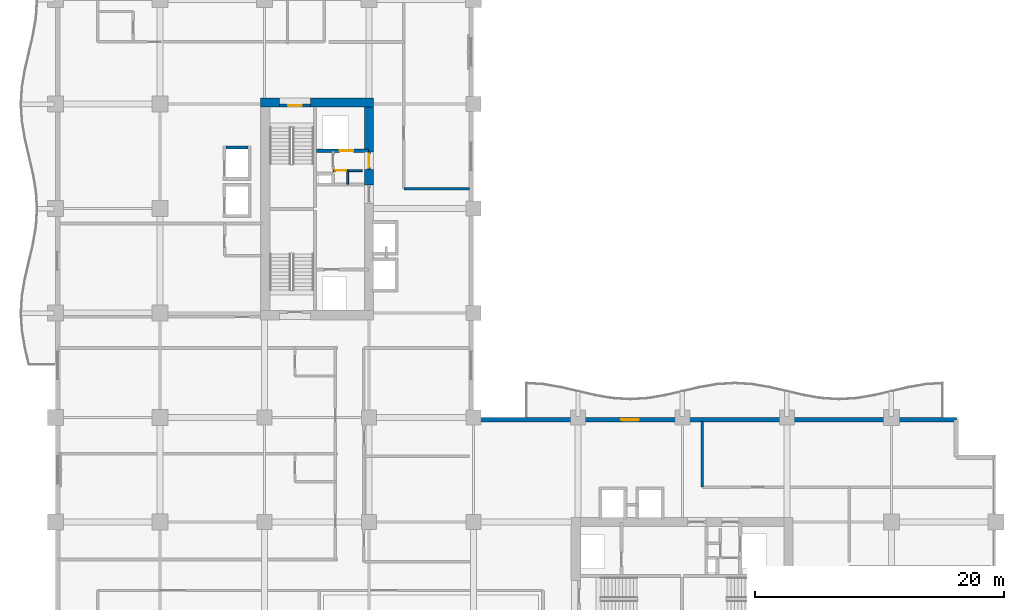
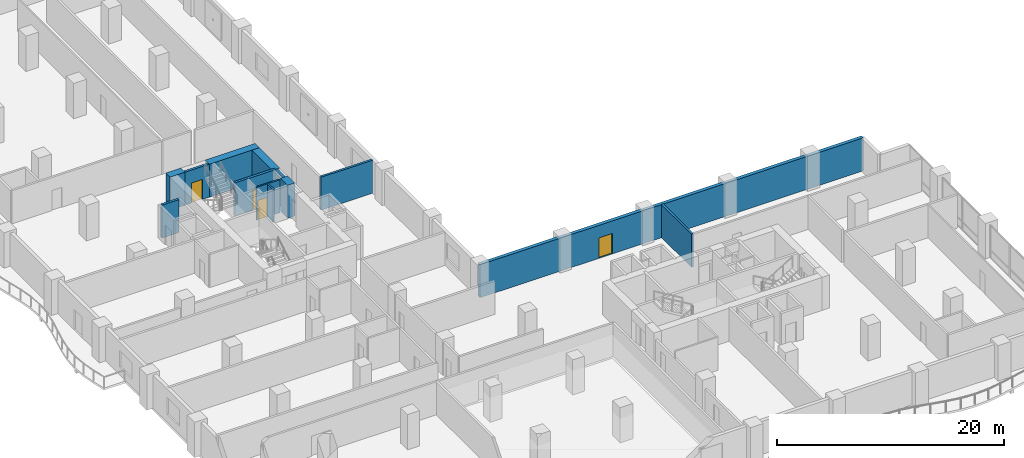
# One storey, part 13 of 23: 13 walls, 5 doors, 5 openings.
"""IFC4 building model written with IfcOpenShell, lengths in metres."""

import ifcopenshell
import ifcopenshell.guid

model = None  # the IFC model being written
_history = None  # IfcOwnerHistory: only IFC2X3 demands one
_inside = {}  # id of a spatial element -> (the spatial element, [elements in it])
_under = {}  # id of a project, library or spatial element -> (it, [spatial elements below it])
_declared = {}  # id of a project -> (the project, [libraries it declares])
_typed = {}  # id of a type object -> (the type object, [elements of that type])
_made_of = {}  # id of a material, layer set ... -> (it, [elements and type objects made of it])


def new_model(schema):
    """Start an empty IFC model of exactly this schema.

    Asked for "IFC4X3", IfcOpenShell would pick the latest addendum, in which some entities
    have other attributes; the version numbers below select the first issue.
    IFC2X3 requires an IfcOwnerHistory on every rooted entity: one is made here for all.
    """
    global model, _history
    if schema == "IFC4X3":
        model = ifcopenshell.file(schema_version=(4, 3, 0, 0))
    else:
        model = ifcopenshell.file(schema=schema)
    _inside.clear()
    _under.clear()
    _declared.clear()
    _typed.clear()
    _made_of.clear()
    _history = None
    if model.schema == "IFC2X3":
        org = make("IfcOrganization", Name="unknown")
        user = make(
            "IfcPersonAndOrganization",
            ThePerson=make("IfcPerson", FamilyName="unknown"),
            TheOrganization=org,
        )
        app = make(
            "IfcApplication",
            ApplicationDeveloper=org,
            Version="unknown",
            ApplicationFullName="unknown",
            ApplicationIdentifier="unknown",
        )
        _history = make(
            "IfcOwnerHistory",
            OwningUser=user,
            OwningApplication=app,
            ChangeAction="ADDED",
            CreationDate=0,
        )
    return model


def make(cls, **values):
    """One entity of the class cls with the attributes given. An attribute that is None is left unset."""
    return model.create_entity(
        cls, **{name: value for name, value in values.items() if value is not None}
    )


def rooted(cls, **values):
    """An entity with a GlobalId (a new one), such as an element, a storey or a relation."""
    return make(cls, GlobalId=ifcopenshell.guid.new(), OwnerHistory=_history, **values)


def si_unit(unit_type, name, prefix=None):
    """IfcSIUnit, for example si_unit("LENGTHUNIT", "METRE", prefix="MILLI")."""
    return make("IfcSIUnit", UnitType=unit_type, Prefix=prefix, Name=name)


def assignment(units):
    """IfcUnitAssignment: the units of a project."""
    return None if units is None else make("IfcUnitAssignment", Units=units)


def point(xyz):
    """IfcCartesianPoint."""
    return None if xyz is None else make("IfcCartesianPoint", Coordinates=xyz)


def direction(xyz):
    """IfcDirection."""
    return None if xyz is None else make("IfcDirection", DirectionRatios=xyz)


def frame(location, z_axis=None, x_axis=None):
    """IfcAxis2Placement3D, a coordinate frame: its origin and axes. An axis left out is left unset."""
    return make(
        "IfcAxis2Placement3D",
        Location=point(location),
        Axis=direction(z_axis),
        RefDirection=direction(x_axis),
    )


def frame_2d(location, x_axis=None):
    """IfcAxis2Placement2D, a coordinate frame in the plane: its origin and x axis."""
    return make(
        "IfcAxis2Placement2D", Location=point(location), RefDirection=direction(x_axis)
    )


def origin():
    """The frame at (0, 0, 0) with its axes left unset."""
    return frame((0.0, 0.0, 0.0))


def place(relative_to, where):
    """IfcLocalPlacement: puts the frame where relative to a parent placement (None: the world)."""
    return make(
        "IfcLocalPlacement", PlacementRelTo=relative_to, RelativePlacement=where
    )


def context(
    kind, dimensions, precision=None, world=None, true_north=None, identifier=None
):
    """IfcGeometricRepresentationContext, for example the 3D "Model" context."""
    return make(
        "IfcGeometricRepresentationContext",
        ContextIdentifier=identifier,
        ContextType=kind,
        CoordinateSpaceDimension=dimensions,
        Precision=precision,
        WorldCoordinateSystem=world,
        TrueNorth=true_north,
    )


def subcontext(parent, identifier, kind, view, scale=None):
    """IfcGeometricRepresentationSubContext, for example "Body" below "Model"."""
    return make(
        "IfcGeometricRepresentationSubContext",
        ContextIdentifier=identifier,
        ContextType=kind,
        ParentContext=parent,
        TargetScale=scale,
        TargetView=view,
    )


def project(units=None, contexts=None):
    """IfcProject with its units and contexts."""
    return rooted(
        "IfcProject",
        Name="project",
        RepresentationContexts=contexts,
        UnitsInContext=assignment(units),
    )


def spatial(cls, under=None, at=None, **own):
    """A site, building, storey or space (cls), placed at a placement, below another one or the project."""
    s = rooted(cls, ObjectPlacement=at, **own)
    if under is not None:
        _under.setdefault(under.id(), (under, []))[1].append(s)
    return s


def profile(cls, at=None, kind="AREA", **sizes):
    """A parametric profile (cls). Its sizes go by their IFC names, for example OverallWidth=200.0."""
    return make(cls, ProfileType=kind, Position=at, **sizes)


def rectangle(**sizes):
    """IfcRectangleProfileDef."""
    return profile("IfcRectangleProfileDef", **sizes)


def extrude(swept, where, along, depth):
    """IfcExtrudedAreaSolid: the profile swept, set in the frame where, extruded along a direction by depth."""
    return make(
        "IfcExtrudedAreaSolid",
        SweptArea=swept,
        Position=where,
        ExtrudedDirection=direction(along),
        Depth=depth,
    )


def shape(context_of_items, identifier, shape_type, items):
    """IfcShapeRepresentation: the items that make up one representation, for example the "Body"."""
    return make(
        "IfcShapeRepresentation",
        ContextOfItems=context_of_items,
        RepresentationIdentifier=identifier,
        RepresentationType=shape_type,
        Items=items,
    )


def material(Name=None, Category=None):
    """IfcMaterial."""
    return make("IfcMaterial", Name=Name, Category=Category)


def layer(
    of_material, thickness, ventilated=None, Name=None, Category=None, Priority=None
):
    """IfcMaterialLayer: one layer of a wall or slab, of a material (None: an air gap)."""
    return make(
        "IfcMaterialLayer",
        Material=of_material,
        LayerThickness=thickness,
        IsVentilated=ventilated,
        Name=Name,
        Category=Category,
        Priority=Priority,
    )


def layer_set(layers, Name=None):
    """IfcMaterialLayerSet."""
    return make("IfcMaterialLayerSet", MaterialLayers=layers, LayerSetName=Name)


def made_of(thing, what):
    """Note that an element or type object is made of a material, layer set ...; save() writes the relation."""
    if what is not None:
        _made_of.setdefault(what.id(), (what, []))[1].append(thing)
    return thing


def type_object(cls, material=None, **own):
    """A type object (cls), such as IfcWallType, which elements share."""
    return made_of(rooted(cls, **own), material)


def element(
    cls,
    number,
    at=None,
    inside=None,
    cuts=None,
    type_object=None,
    material=None,
    context=None,
    identifier="Body",
    shape_type=None,
    held_by="IfcProductDefinitionShape",
    body=None,
    shapes=None,
    **own,
):
    """One element of the class cls, such as IfcWall. Its Tag is "e" and its number.

    at: its placement. inside: the storey or other place that contains it. cuts: it is an
    opening in that element (IfcRelVoidsElement). A single representation is given by context,
    identifier, shape_type and body (its items); several are given by shapes. held_by: the class
    of the entity that holds the representations. save() writes the other relations.
    """
    e = rooted(cls, Tag="e%d" % number, ObjectPlacement=at, **own)
    if body is not None:
        shapes = [shape(context, identifier, shape_type, body)]
    if shapes is not None:
        e.Representation = make(held_by, Representations=shapes)
    if inside is not None:
        _inside.setdefault(inside.id(), (inside, []))[1].append(e)
    if cuts is not None:
        rooted(
            "IfcRelVoidsElement", RelatingBuildingElement=cuts, RelatedOpeningElement=e
        )
    if type_object is not None:
        _typed.setdefault(type_object.id(), (type_object, []))[1].append(e)
    return made_of(e, material)


def fill(opening, filler):
    """IfcRelFillsElement: the door or window that sits in an opening."""
    return rooted(
        "IfcRelFillsElement",
        RelatingOpeningElement=opening,
        RelatedBuildingElement=filler,
    )


def aggregate(whole, parts):
    """IfcRelAggregates: a whole, such as a stair, and the parts it consists of."""
    return rooted("IfcRelAggregates", RelatingObject=whole, RelatedObjects=parts)


def save(model, path):
    """Write the relations noted so far, then the file.

    IfcRelAggregates (storeys below a building ...), IfcRelContainedInSpatialStructure (elements
    in a storey), IfcRelDefinesByType, IfcRelAssociatesMaterial and IfcRelDeclares: one each for
    every whole, place, type object, material and project.
    """
    for whole, parts in _under.values():
        aggregate(whole, parts)
    for where, things in _inside.values():
        rooted(
            "IfcRelContainedInSpatialStructure",
            RelatedElements=things,
            RelatingStructure=where,
        )
    for kind, things in _typed.values():
        rooted("IfcRelDefinesByType", RelatedObjects=things, RelatingType=kind)
    for what, things in _made_of.values():
        rooted("IfcRelAssociatesMaterial", RelatedObjects=things, RelatingMaterial=what)
    for by, libraries in _declared.values():
        rooted("IfcRelDeclares", RelatingContext=by, RelatedDefinitions=libraries)
    model.write(path)


model = new_model("IFC4")

# Units and contexts
model_context = context("Model", 3, precision=1e-05, world=origin(), true_north=direction((0.0, 1.0)))
body_context = subcontext(model_context, "Body", "Model", "MODEL_VIEW")
ifc_project = project(units=[si_unit("LENGTHUNIT", "METRE"), si_unit("AREAUNIT", "SQUARE_METRE"), si_unit("VOLUMEUNIT", "CUBIC_METRE"), si_unit("PLANEANGLEUNIT", "RADIAN"), si_unit("MASSUNIT", "GRAM", prefix="KILO")], contexts=[model_context])

# Site, building, storey
site_placement = place(None, origin())
site = spatial("IfcSite", under=ifc_project, at=site_placement, CompositionType="ELEMENT")
building_placement = place(site_placement, origin())
building = spatial("IfcBuilding", under=site, at=building_placement, Name="Koriwani Terraces Tower", CompositionType="ELEMENT")
storey_placement = place(building_placement, frame((0.0, 0.0, 134.199951171875)))
storey = spatial("IfcBuildingStorey", under=building, at=storey_placement, Name="L32", CompositionType="ELEMENT", Elevation=134.199951171875)

# Walls
ifc_material_1 = material(Name="Concrete C60/75", Category="concrete")
ifc_layer_1 = layer(ifc_material_1, 0.75, Name="Concrete C60/75")
ifc_layer_set_1 = layer_set([ifc_layer_1], Name="Concrete C60/75")
wall_type_1 = type_object("IfcWallType", Name="WALL_CORE_RC_750", PredefinedType="SHEAR", material=ifc_layer_set_1)
wall_1_placement = place(storey_placement, frame((16.5, 58.925048828125, 0.0), z_axis=(0.0, 0.0, 1.0), x_axis=(1.0, 0.0, 0.0)))
element("IfcWall", 1, at=wall_1_placement, inside=storey, type_object=wall_type_1, Name="L32 West Split Core Shear Wall N1", PredefinedType="SHEAR", context=body_context, shape_type="SweptSolid", body=[
    extrude(rectangle(XDim=1.5, YDim=0.75, at=frame_2d((0.75, 0.0))), origin(), (0.0, 0.0, 1.0), 3.550048828125),
])
wall_2_placement = place(storey_placement, frame((20.5, 58.925048828125, 0.0), z_axis=(0.0, 0.0, 1.0), x_axis=(1.0, 0.0, 0.0)))
element("IfcWall", 2, at=wall_2_placement, inside=storey, type_object=wall_type_1, Name="L32 West Split Core Shear Wall N2", PredefinedType="SHEAR", context=body_context, shape_type="SweptSolid", body=[
    extrude(rectangle(XDim=5.074951171875, YDim=0.75, at=frame_2d((2.53759765625, 0.0))), origin(), (0.0, 0.0, 1.0), 3.550048828125),
])
wall_3_placement = place(storey_placement, frame((25.199951171875, 52.280029296875, 0.0), z_axis=(0.0, 0.0, 1.0), x_axis=(0.0, 1.0, 0.0)))
element("IfcWall", 3, at=wall_3_placement, inside=storey, type_object=wall_type_1, Name="L32 West Split Core Shear Wall E2", PredefinedType="SHEAR", context=body_context, shape_type="SweptSolid", body=[
    extrude(rectangle(XDim=1.27001953125, YDim=0.75, at=frame_2d((0.635009765625, 0.0))), origin(), (0.0, 0.0, 1.0), 3.550048828125),
])
wall_4_placement = place(storey_placement, frame((25.199951171875, 54.949951171875, 0.0), z_axis=(0.0, 0.0, 1.0), x_axis=(0.0, 1.0, 0.0)))
element("IfcWall", 4, at=wall_4_placement, inside=storey, type_object=wall_type_1, Name="L32 West Split Core Shear Wall E3", PredefinedType="SHEAR", context=body_context, shape_type="SweptSolid", body=[
    extrude(rectangle(XDim=3.60009765625, YDim=0.75, at=frame_2d((1.800048828125, 0.0))), origin(), (0.0, 0.0, 1.0), 3.550048828125),
])
ifc_material_2 = material(Name="Autoclaved Cellular Concrete Blockwork", Category="masonry")
ifc_layer_2 = layer(ifc_material_2, 0.219970703125, Name="Autoclaved Cellular Concrete Blockwork")
ifc_layer_set_2 = layer_set([ifc_layer_2], Name="Autoclaved Cellular Concrete Blockwork")
wall_type_2 = type_object("IfcWallType", Name="WALL_DEMISING_220", PredefinedType="PARTITIONING", material=ifc_layer_set_2)
for number, where, z_axis, x_axis, name in (
    (5, (28.0, 52.0, 0.0), (0.0, 0.0, 1.0), (1.0, 0.0, 0.0), "L32 Interior Wall WNWT2-S-L32"),
    (6, (52.0, 28.0, 0.0), (0.0, 0.0, 1.0), (0.0, 1.0, 0.0), "L32 Interior Wall WSET2-W-L32"),
):
    element("IfcWall", number, at=place(storey_placement, frame(where, z_axis=z_axis, x_axis=x_axis)), inside=storey, type_object=wall_type_2, Name=name, PredefinedType="PARTITIONING", context=body_context, shape_type="SweptSolid", body=[
        extrude(rectangle(XDim=5.300048828125, YDim=0.219970703125, at=frame_2d((2.64990234375, 0.0))), origin(), (0.0, 0.0, 1.0), 3.550048828125),
    ])

# Wall, opening, door
ifc_material_3 = material(Name="Concrete C50/60", Category="concrete")
ifc_layer_3 = layer(ifc_material_3, 0.35009765625, Name="Concrete C50/60")
ifc_layer_set_3 = layer_set([ifc_layer_3], Name="Concrete C50/60")
wall_type_3 = type_object("IfcWallType", Name="WALL_EXT_BRUTALIST_350", PredefinedType="STANDARD", material=ifc_layer_set_3)
wall_5_placement = place(storey_placement, frame((33.425048828125, 33.425048828125, 0.0), z_axis=(0.0, 0.0, 1.0), x_axis=(1.0, 0.0, 0.0)))
wall_5 = element("IfcWall", 7, at=wall_5_placement, inside=storey, type_object=wall_type_3, Name="L32 Fair-Faced Brutalist Exterior Wall (NE)", PredefinedType="STANDARD", context=body_context, shape_type="SweptSolid", body=[
    extrude(rectangle(XDim=39.0, YDim=0.35009765625, at=frame_2d((19.5, 0.0))), origin(), (0.0, 0.0, 1.0), 3.550048828125),
])
opening_1_placement = place(wall_5_placement, frame((12.074951171875, 0.0, 0.0)))
opening_1 = element("IfcOpeningElement", 8, at=opening_1_placement, cuts=wall_5, Name="Opening D-09", PredefinedType="OPENING", context=body_context, shape_type="SweptSolid", body=[
    extrude(rectangle(XDim=1.39990234375, YDim=2.199951171875, at=frame_2d((0.699951171875, 1.10009765625))), frame((0.0, 0.18505859375, 0.0), z_axis=(0.0, -1.0, 0.0), x_axis=(1.0, 0.0, 0.0)), (0.0, 0.0, 1.0), 0.3701171875),
])
ifc_material_4 = material(Name="Anodised Bronze Aluminium", Category="aluminium")
door_type_1 = type_object("IfcDoorType", Name="DOOR_BALCONY_GLAZED_1400X2200", OperationType="NOTDEFINED", PredefinedType="DOOR", material=ifc_material_4)
door_1_placement = place(opening_1_placement, origin())
door_1 = element("IfcDoor", 9, at=door_1_placement, inside=storey, type_object=door_type_1, Name="L32 Inner Court Balcony Glazed Door", OperationType="SINGLE_SWING_LEFT", OverallHeight=2.199951171875, OverallWidth=1.39990234375, PredefinedType="DOOR", context=body_context, shape_type="SweptSolid", body=[
    extrude(rectangle(XDim=1.39990234375, YDim=2.199951171875, at=frame_2d((0.699951171875, 1.10009765625))), frame((0.0, 0.02490234375, 0.0), z_axis=(0.0, -1.0, 0.0), x_axis=(1.0, 0.0, 0.0)), (0.0, 0.0, 1.0), 0.050048828125),
])
fill(opening_1, door_1)

ifc_material_5 = material(Name="Concrete C40/50", Category="concrete")
ifc_layer_4 = layer(ifc_material_5, 0.25, Name="Concrete C40/50")
ifc_layer_set_4 = layer_set([ifc_layer_4], Name="Concrete C40/50")
wall_type_4 = type_object("IfcWallType", Name="WALL_SHAFT_RATED_250", PredefinedType="SOLIDWALL", material=ifc_layer_set_4)
wall_6_placement = place(storey_placement, frame((18.0, 58.675048828125, 0.0), z_axis=(0.0, 0.0, 1.0), x_axis=(1.0, 0.0, 0.0)))
wall_6 = element("IfcWall", 10, at=wall_6_placement, inside=storey, type_object=wall_type_4, Name="L32 Interior Wall WIN-CW-L32-STN", PredefinedType="SOLIDWALL", context=body_context, shape_type="SweptSolid", body=[
    extrude(rectangle(XDim=2.5, YDim=0.25, at=frame_2d((1.25, 0.0))), origin(), (0.0, 0.0, 1.0), 3.550048828125),
])
opening_2_placement = place(wall_6_placement, frame((0.699951171875, 0.0, 0.0)))
opening_2 = element("IfcOpeningElement", 11, at=opening_2_placement, cuts=wall_6, Name="Opening D-03", PredefinedType="OPENING", context=body_context, shape_type="SweptSolid", body=[
    extrude(rectangle(XDim=1.10009765625, YDim=2.14990234375, at=frame_2d((0.550048828125, 1.074951171875))), frame((0.0, 0.135009765625, 0.0), z_axis=(0.0, -1.0, 0.0), x_axis=(1.0, 0.0, 0.0)), (0.0, 0.0, 1.0), 0.27001953125),
])
ifc_material_6 = material(Name="Steel ASTM A572 Grade 50", Category="steel")
door_type_2 = type_object("IfcDoorType", Name="DOOR_STAIR_FIRE_1100X2150", OperationType="NOTDEFINED", PredefinedType="DOOR", material=ifc_material_6)
door_2_placement = place(opening_2_placement, origin())
door_2 = element("IfcDoor", 12, at=door_2_placement, inside=storey, type_object=door_type_2, Name="L32 Exit Stair ST-W2 Door", OperationType="SINGLE_SWING_LEFT", OverallHeight=2.14990234375, OverallWidth=1.10009765625, PredefinedType="DOOR", context=body_context, shape_type="SweptSolid", body=[
    extrude(rectangle(XDim=1.10009765625, YDim=2.14990234375, at=frame_2d((0.550048828125, 1.074951171875))), frame((0.0, 0.02490234375, 0.0), z_axis=(0.0, -1.0, 0.0), x_axis=(1.0, 0.0, 0.0)), (0.0, 0.0, 1.0), 0.050048828125),
])
fill(opening_2, door_2)

wall_7_placement = place(storey_placement, frame((21.0, 55.050048828125, 0.0), z_axis=(0.0, 0.0, 1.0), x_axis=(1.0, 0.0, 0.0)))
wall_7 = element("IfcWall", 13, at=wall_7_placement, inside=storey, type_object=wall_type_4, Name="L32 Interior Wall WIN-CW-L32-SE", PredefinedType="SOLIDWALL", context=body_context, shape_type="SweptSolid", body=[
    extrude(rectangle(XDim=4.14990234375, YDim=0.25, at=frame_2d((2.074951171875, 0.0))), origin(), (0.0, 0.0, 1.0), 3.550048828125),
])
opening_3_placement = place(wall_7_placement, frame((1.85009765625, 0.0, 0.0)))
opening_3 = element("IfcOpeningElement", 14, at=opening_3_placement, cuts=wall_7, Name="Opening LD-01", PredefinedType="OPENING", context=body_context, shape_type="SweptSolid", body=[
    extrude(rectangle(XDim=1.10009765625, YDim=2.14990234375, at=frame_2d((0.550048828125, 1.074951171875))), frame((0.0, 0.135009765625, 0.0), z_axis=(0.0, -1.0, 0.0), x_axis=(1.0, 0.0, 0.0)), (0.0, 0.0, 1.0), 0.27001953125),
])
door_type_3 = type_object("IfcDoorType", Name="DOOR_LIFT_LANDING_1100X2200", OperationType="NOTDEFINED", PredefinedType="DOOR", material=ifc_material_6)
door_3_placement = place(opening_3_placement, origin())
door_3 = element("IfcDoor", 15, at=door_3_placement, inside=storey, type_object=door_type_3, Name="L32 Goods Lift SE-01 Landing Door", OperationType="SLIDING_TO_LEFT", OverallHeight=2.14990234375, OverallWidth=1.10009765625, PredefinedType="DOOR", context=body_context, shape_type="SweptSolid", body=[
    extrude(rectangle(XDim=1.10009765625, YDim=2.14990234375, at=frame_2d((0.550048828125, 1.074951171875))), frame((0.0, 0.02490234375, 0.0), z_axis=(0.0, -1.0, 0.0), x_axis=(1.0, 0.0, 0.0)), (0.0, 0.0, 1.0), 0.050048828125),
])
fill(opening_3, door_3)

wall_8_placement = place(storey_placement, frame((25.199951171875, 53.550048828125, 0.0), z_axis=(0.0, 0.0, 1.0), x_axis=(0.0, 1.0, 0.0)))
wall_8 = element("IfcWall", 16, at=wall_8_placement, inside=storey, type_object=wall_type_4, Name="L32 Interior Wall WIN-CW-L32-EP2", PredefinedType="SOLIDWALL", context=body_context, shape_type="SweptSolid", body=[
    extrude(rectangle(XDim=1.39990234375, YDim=0.25, at=frame_2d((0.699951171875, 0.0))), origin(), (0.0, 0.0, 1.0), 3.550048828125),
])
opening_4_placement = place(wall_8_placement, frame((0.14990234375, 0.0, 0.0)))
opening_4 = element("IfcOpeningElement", 17, at=opening_4_placement, cuts=wall_8, Name="Opening D-03", PredefinedType="OPENING", context=body_context, shape_type="SweptSolid", body=[
    extrude(rectangle(XDim=1.10009765625, YDim=2.14990234375, at=frame_2d((0.550048828125, 1.074951171875))), frame((0.0, 0.135009765625, 0.0), z_axis=(0.0, -1.0, 0.0), x_axis=(1.0, 0.0, 0.0)), (0.0, 0.0, 1.0), 0.27001953125),
])
door_4_placement = place(opening_4_placement, origin())
door_4 = element("IfcDoor", 18, at=door_4_placement, inside=storey, type_object=door_type_2, Name="L32 West Goods Lift Lobby Door", OperationType="SINGLE_SWING_LEFT", OverallHeight=2.14990234375, OverallWidth=1.10009765625, PredefinedType="DOOR", context=body_context, shape_type="SweptSolid", body=[
    extrude(rectangle(XDim=1.10009765625, YDim=2.14990234375, at=frame_2d((0.550048828125, 1.074951171875))), frame((0.0, 0.02490234375, 0.0), z_axis=(0.0, -1.0, 0.0), x_axis=(1.0, 0.0, 0.0)), (0.0, 0.0, 1.0), 0.050048828125),
])
fill(opening_4, door_4)

# Wall
wall_9_placement = place(storey_placement, frame((13.72509765625, 55.300048828125, 0.0), z_axis=(0.0, 0.0, 1.0), x_axis=(1.0, 0.0, 0.0)))
element("IfcWall", 19, at=wall_9_placement, inside=storey, type_object=wall_type_4, Name="L32 Interior Wall WIN-LF-PE-M2-L32-N", PredefinedType="SOLIDWALL", context=body_context, shape_type="SweptSolid", body=[
    extrude(rectangle(XDim=1.75, YDim=0.25, at=frame_2d((0.875, 0.0))), origin(), (0.0, 0.0, 1.0), 3.550048828125),
])

# Wall, opening, door
ifc_material_7 = material(Name="Fire-Rated Acoustic Gypsum Partition", Category="masonry")
ifc_layer_5 = layer(ifc_material_7, 0.159912109375, Name="Fire-Rated Acoustic Gypsum Partition")
ifc_layer_set_5 = layer_set([ifc_layer_5], Name="Fire-Rated Acoustic Gypsum Partition")
wall_type_5 = type_object("IfcWallType", Name="WALL_SUITE_160", PredefinedType="PARTITIONING", material=ifc_layer_set_5)
wall_10_placement = place(storey_placement, frame((22.320068359375, 53.4599609375, 0.0), z_axis=(0.0, 0.0, 1.0), x_axis=(1.0, 0.0, 0.0)))
wall_10 = element("IfcWall", 20, at=wall_10_placement, inside=storey, type_object=wall_type_5, Name="L32 Interior Wall WIN-CW-L32-SV2H", PredefinedType="PARTITIONING", context=body_context, shape_type="SweptSolid", body=[
    extrude(rectangle(XDim=2.35986328125, YDim=0.159912109375, at=frame_2d((1.179931640625, 0.0))), origin(), (0.0, 0.0, 1.0), 3.550048828125),
])
opening_5_placement = place(wall_10_placement, frame((0.159912109375, 0.0, 0.0)))
opening_5 = element("IfcOpeningElement", 21, at=opening_5_placement, cuts=wall_10, Name="Opening D-07", PredefinedType="OPENING", context=body_context, shape_type="SweptSolid", body=[
    extrude(rectangle(XDim=0.89990234375, YDim=2.10009765625, at=frame_2d((0.449951171875, 1.050048828125))), frame((0.0, 0.08984375, 0.0), z_axis=(0.0, -1.0, 0.0), x_axis=(1.0, 0.0, 0.0)), (0.0, 0.0, 1.0), 0.179931640625),
])
ifc_material_8 = material(Name="Architectural Oak Fire Door", Category="wood")
door_type_4 = type_object("IfcDoorType", Name="DOOR_BATH_INT_900X2100", OperationType="NOTDEFINED", PredefinedType="DOOR", material=ifc_material_8)
door_5_placement = place(opening_5_placement, origin())
door_5 = element("IfcDoor", 22, at=door_5_placement, inside=storey, type_object=door_type_4, Name="L32 West Valve Room Door", OperationType="SINGLE_SWING_LEFT", OverallHeight=2.10009765625, OverallWidth=0.89990234375, PredefinedType="DOOR", context=body_context, shape_type="SweptSolid", body=[
    extrude(rectangle(XDim=0.89990234375, YDim=2.10009765625, at=frame_2d((0.449951171875, 1.050048828125))), frame((0.0, 0.02490234375, 0.0), z_axis=(0.0, -1.0, 0.0), x_axis=(1.0, 0.0, 0.0)), (0.0, 0.0, 1.0), 0.050048828125),
])
fill(opening_5, door_5)

# Wall
wall_11_placement = place(storey_placement, frame((23.47998046875, 52.360107421875, 0.0), z_axis=(0.0, 0.0, 1.0), x_axis=(0.0, 1.0, 0.0)))
element("IfcWall", 23, at=wall_11_placement, inside=storey, type_object=wall_type_5, Name="L32 Interior Wall WIN-CW-L32-SV2V", PredefinedType="PARTITIONING", context=body_context, shape_type="SweptSolid", body=[
    extrude(rectangle(XDim=1.099853515625, YDim=0.159912109375, at=frame_2d((0.5498046875, 0.0))), origin(), (0.0, 0.0, 1.0), 3.550048828125),
])

save(model, "model.ifc")
